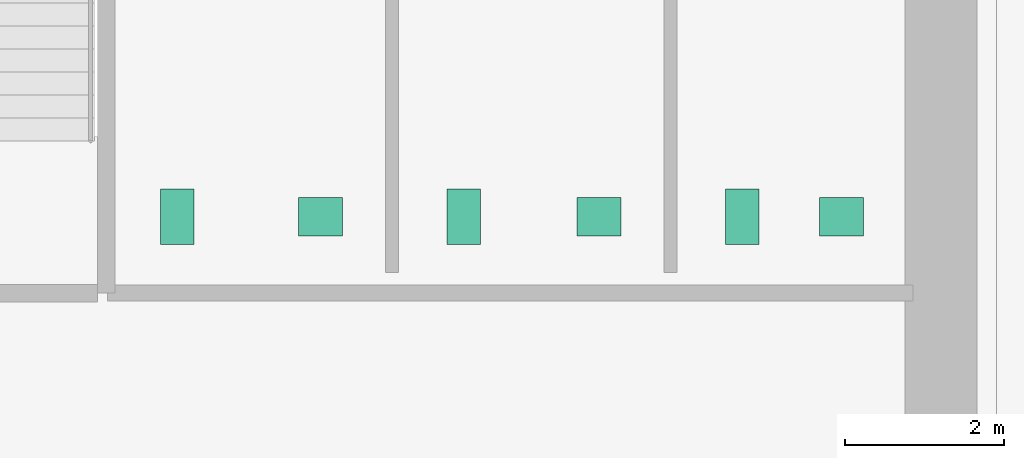
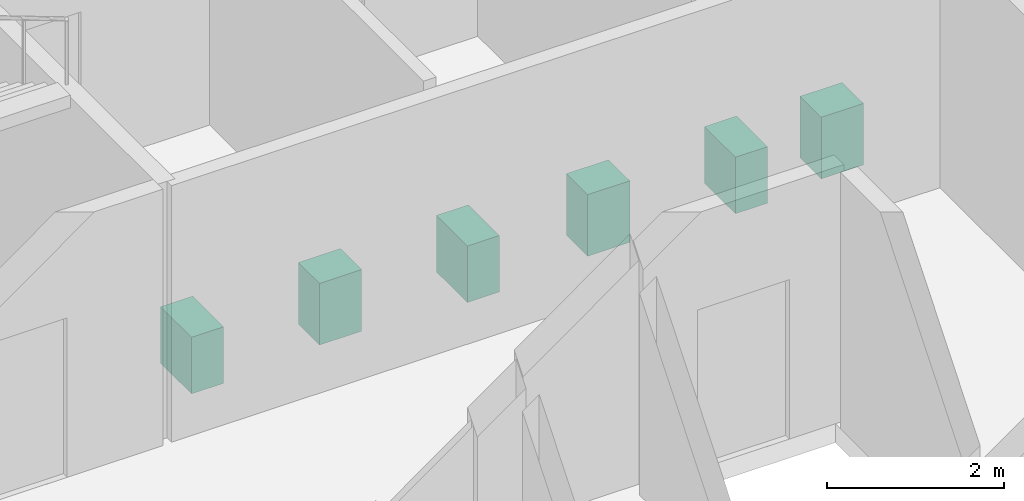
# One storey, part 14 of 14: 6 sanitary terminals.
"""IFC4 building model written with IfcOpenShell, lengths in metres."""

from ifc_helpers import new_model, si_unit, direction, frame, origin, origin_2d, place, context, subcontext, project, spatial, rectangle, extrude, material, type_object, element, save


model = new_model("IFC4")

# Units and contexts
model_context = context("Model", 3, precision=1e-05, world=origin(), true_north=direction((0.0, 1.0)))
body_context = subcontext(model_context, "Body", "Model", "MODEL_VIEW")
ifc_project = project(units=[si_unit("LENGTHUNIT", "METRE"), si_unit("AREAUNIT", "SQUARE_METRE"), si_unit("VOLUMEUNIT", "CUBIC_METRE"), si_unit("PLANEANGLEUNIT", "RADIAN"), si_unit("MASSUNIT", "GRAM", prefix="KILO")], contexts=[model_context])

# Site, building, storey
site_placement = place(None, origin())
site = spatial("IfcSite", under=ifc_project, at=site_placement, CompositionType="ELEMENT")
building_placement = place(site_placement, origin())
building = spatial("IfcBuilding", under=site, at=building_placement, Name="Norrvale University Quadrangle", CompositionType="ELEMENT")
storey_placement = place(building_placement, frame((0.0, 0.0, 24.199951171875)))
storey = spatial("IfcBuildingStorey", under=building, at=storey_placement, Name="L05", CompositionType="ELEMENT", Elevation=24.199951171875)

# Sanitary terminals
ifc_material = material(Name="Vitreous China Sanitaryware")
sanitary_terminal_type_1 = type_object("IfcSanitaryTerminalType", Name="Sanitary Wash Basin", PredefinedType="WASHHANDBASIN", material=ifc_material)
for number, where, z_axis, x_axis, name in (
    (1, (9.0, 41.10009765625, 0.0), (0.0, 0.0, 1.0), (1.0, 0.0, 0.0), "Accessible Countertop Washbasin L05-1"),
    (2, (12.5, 41.10009765625, 0.0), (0.0, 0.0, 1.0), (1.0, 0.0, 0.0), "Accessible Countertop Washbasin L05-2"),
    (3, (15.550048828125, 41.10009765625, 0.0), (0.0, 0.0, 1.0), (1.0, 0.0, 0.0), "Accessible Countertop Washbasin L05-3"),
):
    element("IfcSanitaryTerminal", number, at=place(storey_placement, frame(where, z_axis=z_axis, x_axis=x_axis)), inside=storey, type_object=sanitary_terminal_type_1, Name=name, PredefinedType="WASHHANDBASIN", context=body_context, shape_type="SweptSolid", body=[
        extrude(rectangle(XDim=0.550048828125, YDim=0.47998046875, at=origin_2d()), origin(), (0.0, 0.0, 1.0), 0.85009765625),
    ])
sanitary_terminal_type_2 = type_object("IfcSanitaryTerminalType", Name="Sanitary Water Closet", PredefinedType="TOILETPAN", material=ifc_material)
for number, where, z_axis, x_axis, name in (
    (4, (7.199951171875, 41.10009765625, 0.0), (0.0, 0.0, 1.0), (1.0, 0.0, 0.0), "Wall-Hung Water Closet L05-1"),
    (5, (10.800048828125, 41.10009765625, 0.0), (0.0, 0.0, 1.0), (1.0, 0.0, 0.0), "Wall-Hung Water Closet L05-2"),
    (6, (14.300048828125, 41.10009765625, 0.0), (0.0, 0.0, 1.0), (1.0, 0.0, 0.0), "Wall-Hung Water Closet L05-3"),
):
    element("IfcSanitaryTerminal", number, at=place(storey_placement, frame(where, z_axis=z_axis, x_axis=x_axis)), inside=storey, type_object=sanitary_terminal_type_2, Name=name, PredefinedType="TOILETPAN", context=body_context, shape_type="SweptSolid", body=[
        extrude(rectangle(XDim=0.419921875, YDim=0.699951171875, at=origin_2d()), origin(), (0.0, 0.0, 1.0), 0.780029296875),
    ])

save(model, "model.ifc")
